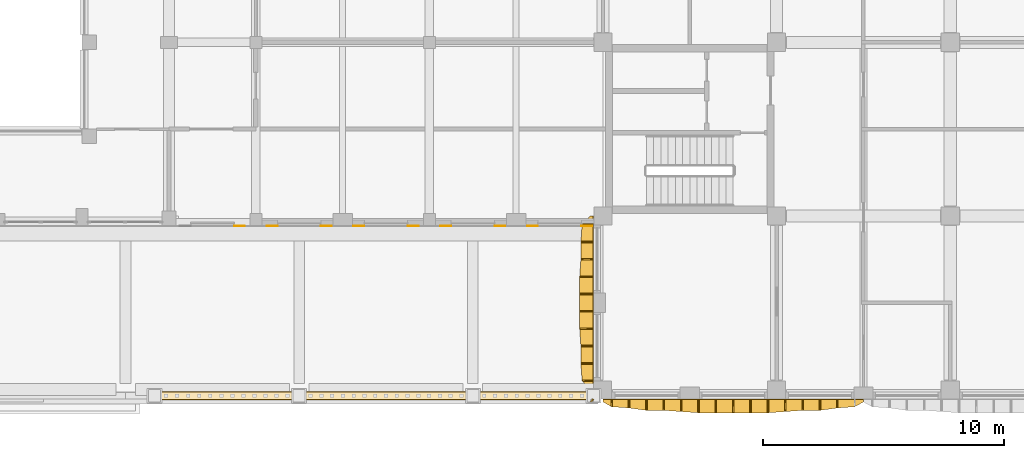
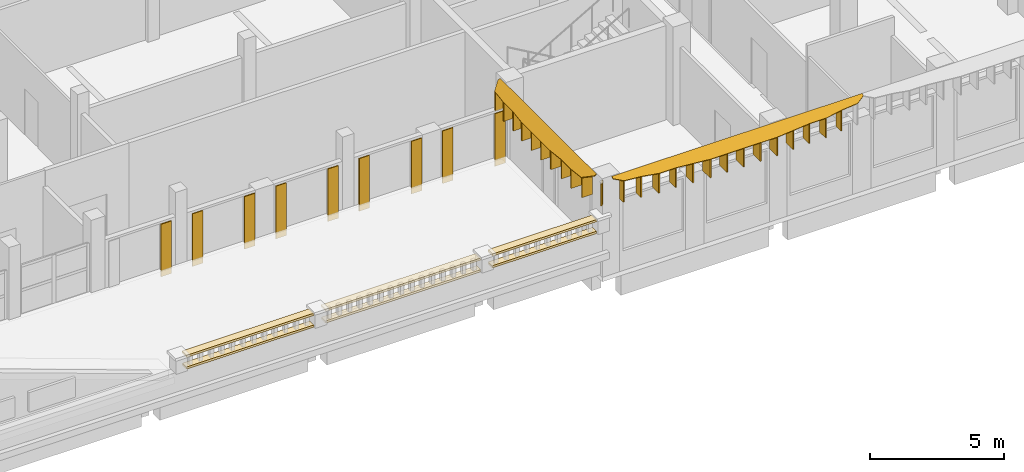
# One storey, part 37 of 58: 36 shading devices, 6 coverings.
"""IFC4 building model written with IfcOpenShell, lengths in metres."""

import ifcopenshell
import ifcopenshell.guid

model = None  # the IFC model being written
_history = None  # IfcOwnerHistory: only IFC2X3 demands one
_inside = {}  # id of a spatial element -> (the spatial element, [elements in it])
_under = {}  # id of a project, library or spatial element -> (it, [spatial elements below it])
_declared = {}  # id of a project -> (the project, [libraries it declares])
_typed = {}  # id of a type object -> (the type object, [elements of that type])
_made_of = {}  # id of a material, layer set ... -> (it, [elements and type objects made of it])


def new_model(schema):
    """Start an empty IFC model of exactly this schema.

    Asked for "IFC4X3", IfcOpenShell would pick the latest addendum, in which some entities
    have other attributes; the version numbers below select the first issue.
    IFC2X3 requires an IfcOwnerHistory on every rooted entity: one is made here for all.
    """
    global model, _history
    if schema == "IFC4X3":
        model = ifcopenshell.file(schema_version=(4, 3, 0, 0))
    else:
        model = ifcopenshell.file(schema=schema)
    _inside.clear()
    _under.clear()
    _declared.clear()
    _typed.clear()
    _made_of.clear()
    _history = None
    if model.schema == "IFC2X3":
        org = make("IfcOrganization", Name="unknown")
        user = make(
            "IfcPersonAndOrganization",
            ThePerson=make("IfcPerson", FamilyName="unknown"),
            TheOrganization=org,
        )
        app = make(
            "IfcApplication",
            ApplicationDeveloper=org,
            Version="unknown",
            ApplicationFullName="unknown",
            ApplicationIdentifier="unknown",
        )
        _history = make(
            "IfcOwnerHistory",
            OwningUser=user,
            OwningApplication=app,
            ChangeAction="ADDED",
            CreationDate=0,
        )
    return model


def make(cls, **values):
    """One entity of the class cls with the attributes given. An attribute that is None is left unset."""
    return model.create_entity(
        cls, **{name: value for name, value in values.items() if value is not None}
    )


def rooted(cls, **values):
    """An entity with a GlobalId (a new one), such as an element, a storey or a relation."""
    return make(cls, GlobalId=ifcopenshell.guid.new(), OwnerHistory=_history, **values)


def si_unit(unit_type, name, prefix=None):
    """IfcSIUnit, for example si_unit("LENGTHUNIT", "METRE", prefix="MILLI")."""
    return make("IfcSIUnit", UnitType=unit_type, Prefix=prefix, Name=name)


def assignment(units):
    """IfcUnitAssignment: the units of a project."""
    return None if units is None else make("IfcUnitAssignment", Units=units)


def point(xyz):
    """IfcCartesianPoint."""
    return None if xyz is None else make("IfcCartesianPoint", Coordinates=xyz)


def direction(xyz):
    """IfcDirection."""
    return None if xyz is None else make("IfcDirection", DirectionRatios=xyz)


def frame(location, z_axis=None, x_axis=None):
    """IfcAxis2Placement3D, a coordinate frame: its origin and axes. An axis left out is left unset."""
    return make(
        "IfcAxis2Placement3D",
        Location=point(location),
        Axis=direction(z_axis),
        RefDirection=direction(x_axis),
    )


def frame_2d(location, x_axis=None):
    """IfcAxis2Placement2D, a coordinate frame in the plane: its origin and x axis."""
    return make(
        "IfcAxis2Placement2D", Location=point(location), RefDirection=direction(x_axis)
    )


def origin():
    """The frame at (0, 0, 0) with its axes left unset."""
    return frame((0.0, 0.0, 0.0))


def origin_2d():
    """The frame at (0, 0) in the plane with its x axis left unset."""
    return frame_2d((0.0, 0.0))


def place(relative_to, where):
    """IfcLocalPlacement: puts the frame where relative to a parent placement (None: the world)."""
    return make(
        "IfcLocalPlacement", PlacementRelTo=relative_to, RelativePlacement=where
    )


def context(
    kind, dimensions, precision=None, world=None, true_north=None, identifier=None
):
    """IfcGeometricRepresentationContext, for example the 3D "Model" context."""
    return make(
        "IfcGeometricRepresentationContext",
        ContextIdentifier=identifier,
        ContextType=kind,
        CoordinateSpaceDimension=dimensions,
        Precision=precision,
        WorldCoordinateSystem=world,
        TrueNorth=true_north,
    )


def subcontext(parent, identifier, kind, view, scale=None):
    """IfcGeometricRepresentationSubContext, for example "Body" below "Model"."""
    return make(
        "IfcGeometricRepresentationSubContext",
        ContextIdentifier=identifier,
        ContextType=kind,
        ParentContext=parent,
        TargetScale=scale,
        TargetView=view,
    )


def project(units=None, contexts=None):
    """IfcProject with its units and contexts."""
    return rooted(
        "IfcProject",
        Name="project",
        RepresentationContexts=contexts,
        UnitsInContext=assignment(units),
    )


def spatial(cls, under=None, at=None, **own):
    """A site, building, storey or space (cls), placed at a placement, below another one or the project."""
    s = rooted(cls, ObjectPlacement=at, **own)
    if under is not None:
        _under.setdefault(under.id(), (under, []))[1].append(s)
    return s


def polyline(points):
    """IfcPolyline through the points."""
    return make("IfcPolyline", Points=[point(p) for p in points])


def profile(cls, at=None, kind="AREA", **sizes):
    """A parametric profile (cls). Its sizes go by their IFC names, for example OverallWidth=200.0."""
    return make(cls, ProfileType=kind, Position=at, **sizes)


def rectangle(**sizes):
    """IfcRectangleProfileDef."""
    return profile("IfcRectangleProfileDef", **sizes)


def outline(outer, holes=None, kind="AREA"):
    """IfcArbitraryClosedProfileDef: a profile drawn as a closed curve; with holes, ...WithVoids."""
    if holes is None:
        return make("IfcArbitraryClosedProfileDef", ProfileType=kind, OuterCurve=outer)
    return make(
        "IfcArbitraryProfileDefWithVoids",
        ProfileType=kind,
        OuterCurve=outer,
        InnerCurves=holes,
    )


def extrude(swept, where, along, depth):
    """IfcExtrudedAreaSolid: the profile swept, set in the frame where, extruded along a direction by depth."""
    return make(
        "IfcExtrudedAreaSolid",
        SweptArea=swept,
        Position=where,
        ExtrudedDirection=direction(along),
        Depth=depth,
    )


def shape(context_of_items, identifier, shape_type, items):
    """IfcShapeRepresentation: the items that make up one representation, for example the "Body"."""
    return make(
        "IfcShapeRepresentation",
        ContextOfItems=context_of_items,
        RepresentationIdentifier=identifier,
        RepresentationType=shape_type,
        Items=items,
    )


def material(Name=None, Category=None):
    """IfcMaterial."""
    return make("IfcMaterial", Name=Name, Category=Category)


def layer(
    of_material, thickness, ventilated=None, Name=None, Category=None, Priority=None
):
    """IfcMaterialLayer: one layer of a wall or slab, of a material (None: an air gap)."""
    return make(
        "IfcMaterialLayer",
        Material=of_material,
        LayerThickness=thickness,
        IsVentilated=ventilated,
        Name=Name,
        Category=Category,
        Priority=Priority,
    )


def layer_set(layers, Name=None):
    """IfcMaterialLayerSet."""
    return make("IfcMaterialLayerSet", MaterialLayers=layers, LayerSetName=Name)


def made_of(thing, what):
    """Note that an element or type object is made of a material, layer set ...; save() writes the relation."""
    if what is not None:
        _made_of.setdefault(what.id(), (what, []))[1].append(thing)
    return thing


def type_object(cls, material=None, **own):
    """A type object (cls), such as IfcWallType, which elements share."""
    return made_of(rooted(cls, **own), material)


def element(
    cls,
    number,
    at=None,
    inside=None,
    cuts=None,
    type_object=None,
    material=None,
    context=None,
    identifier="Body",
    shape_type=None,
    held_by="IfcProductDefinitionShape",
    body=None,
    shapes=None,
    **own,
):
    """One element of the class cls, such as IfcWall. Its Tag is "e" and its number.

    at: its placement. inside: the storey or other place that contains it. cuts: it is an
    opening in that element (IfcRelVoidsElement). A single representation is given by context,
    identifier, shape_type and body (its items); several are given by shapes. held_by: the class
    of the entity that holds the representations. save() writes the other relations.
    """
    e = rooted(cls, Tag="e%d" % number, ObjectPlacement=at, **own)
    if body is not None:
        shapes = [shape(context, identifier, shape_type, body)]
    if shapes is not None:
        e.Representation = make(held_by, Representations=shapes)
    if inside is not None:
        _inside.setdefault(inside.id(), (inside, []))[1].append(e)
    if cuts is not None:
        rooted(
            "IfcRelVoidsElement", RelatingBuildingElement=cuts, RelatedOpeningElement=e
        )
    if type_object is not None:
        _typed.setdefault(type_object.id(), (type_object, []))[1].append(e)
    return made_of(e, material)


def aggregate(whole, parts):
    """IfcRelAggregates: a whole, such as a stair, and the parts it consists of."""
    return rooted("IfcRelAggregates", RelatingObject=whole, RelatedObjects=parts)


def save(model, path):
    """Write the relations noted so far, then the file.

    IfcRelAggregates (storeys below a building ...), IfcRelContainedInSpatialStructure (elements
    in a storey), IfcRelDefinesByType, IfcRelAssociatesMaterial and IfcRelDeclares: one each for
    every whole, place, type object, material and project.
    """
    for whole, parts in _under.values():
        aggregate(whole, parts)
    for where, things in _inside.values():
        rooted(
            "IfcRelContainedInSpatialStructure",
            RelatedElements=things,
            RelatingStructure=where,
        )
    for kind, things in _typed.values():
        rooted("IfcRelDefinesByType", RelatedObjects=things, RelatingType=kind)
    for what, things in _made_of.values():
        rooted("IfcRelAssociatesMaterial", RelatedObjects=things, RelatingMaterial=what)
    for by, libraries in _declared.values():
        rooted("IfcRelDeclares", RelatingContext=by, RelatedDefinitions=libraries)
    model.write(path)


model = new_model("IFC4")

# Units and contexts
model_context = context("Model", 3, precision=1e-05, world=origin(), true_north=direction((0.0, 1.0)))
body_context = subcontext(model_context, "Body", "Model", "MODEL_VIEW")
ifc_project = project(units=[si_unit("LENGTHUNIT", "METRE"), si_unit("AREAUNIT", "SQUARE_METRE"), si_unit("VOLUMEUNIT", "CUBIC_METRE"), si_unit("PLANEANGLEUNIT", "RADIAN"), si_unit("MASSUNIT", "GRAM", prefix="KILO")], contexts=[model_context])

# Site, building, storey
site_placement = place(None, origin())
site = spatial("IfcSite", under=ifc_project, at=site_placement, CompositionType="ELEMENT")
building_placement = place(site_placement, origin())
building = spatial("IfcBuilding", under=site, at=building_placement, Name="Ussher Court Research Institute", CompositionType="ELEMENT")
storey_placement = place(building_placement, frame((0.0, 0.0, 9.89990234375)))
storey = spatial("IfcBuildingStorey", under=building, at=storey_placement, Name="L02", CompositionType="ELEMENT", Elevation=9.89990234375)

# Coverings
ifc_material_1 = material(Name="Limestone cornice", Category="masonry")
covering_type_1 = type_object("IfcCoveringType", Name="Balustrade base rail 300x100", PredefinedType="CLADDING", material=ifc_material_1)
covering_1_placement = place(storey_placement, frame((66.60009765625, 3.739990234375, 2.10009765625), z_axis=(0.0, 0.0, 1.0), x_axis=(1.0, 0.0, 0.0)))
element("IfcCovering", 1, at=covering_1_placement, inside=storey, type_object=covering_type_1, Name="Balustrade base rail CC29", PredefinedType="CLADDING", context=body_context, shape_type="SweptSolid", body=[
    extrude(rectangle(XDim=5.5, YDim=0.300048828125, at=origin_2d()), origin(), (0.0, 0.0, 1.0), 0.10009765625),
])
covering_2_placement = place(storey_placement, frame((73.199951171875, 3.739990234375, 2.10009765625), z_axis=(0.0, 0.0, 1.0), x_axis=(1.0, 0.0, 0.0)))
element("IfcCovering", 2, at=covering_2_placement, inside=storey, type_object=covering_type_1, Name="Balustrade base rail CC29", PredefinedType="CLADDING", context=body_context, shape_type="SweptSolid", body=[
    extrude(rectangle(XDim=6.699951171875, YDim=0.300048828125, at=origin_2d()), origin(), (0.0, 0.0, 1.0), 0.10009765625),
])
covering_3_placement = place(storey_placement, frame((79.300048828125, 3.739990234375, 2.10009765625), z_axis=(0.0, 0.0, 1.0), x_axis=(1.0, 0.0, 0.0)))
element("IfcCovering", 3, at=covering_3_placement, inside=storey, type_object=covering_type_1, Name="Balustrade base rail CC29", PredefinedType="CLADDING", context=body_context, shape_type="SweptSolid", body=[
    extrude(rectangle(XDim=4.5, YDim=0.300048828125, at=origin_2d()), origin(), (0.0, 0.0, 1.0), 0.10009765625),
])
ifc_material_2 = material(Name="Limestone cornice", Category="masonry")
covering_type_2 = type_object("IfcCoveringType", Name="Balustrade coping 340x100", PredefinedType="CLADDING", material=ifc_material_2)
covering_4_placement = place(storey_placement, frame((66.60009765625, 3.739990234375, 2.650146484375), z_axis=(0.0, 0.0, 1.0), x_axis=(1.0, 0.0, 0.0)))
element("IfcCovering", 4, at=covering_4_placement, inside=storey, type_object=covering_type_2, Name="Balustrade coping CC30", PredefinedType="CLADDING", context=body_context, shape_type="SweptSolid", body=[
    extrude(rectangle(XDim=5.5, YDim=0.340087890625, at=origin_2d()), origin(), (0.0, 0.0, 1.0), 0.10009765625),
])
covering_5_placement = place(storey_placement, frame((73.199951171875, 3.739990234375, 2.650146484375), z_axis=(0.0, 0.0, 1.0), x_axis=(1.0, 0.0, 0.0)))
element("IfcCovering", 5, at=covering_5_placement, inside=storey, type_object=covering_type_2, Name="Balustrade coping CC30", PredefinedType="CLADDING", context=body_context, shape_type="SweptSolid", body=[
    extrude(rectangle(XDim=6.699951171875, YDim=0.340087890625, at=origin_2d()), origin(), (0.0, 0.0, 1.0), 0.10009765625),
])
covering_6_placement = place(storey_placement, frame((79.300048828125, 3.739990234375, 2.650146484375), z_axis=(0.0, 0.0, 1.0), x_axis=(1.0, 0.0, 0.0)))
element("IfcCovering", 6, at=covering_6_placement, inside=storey, type_object=covering_type_2, Name="Balustrade coping CC30", PredefinedType="CLADDING", context=body_context, shape_type="SweptSolid", body=[
    extrude(rectangle(XDim=4.5, YDim=0.340087890625, at=origin_2d()), origin(), (0.0, 0.0, 1.0), 0.10009765625),
])

# Shading devices
ifc_material_3 = material(Name="Bronze anodised aluminium", Category="aluminium")
ifc_layer_1 = layer(ifc_material_3, 0.050048828125)
ifc_layer_set_1 = layer_set([ifc_layer_1], Name="Bronze anodised aluminium")
shading_device_type_1 = type_object("IfcShadingDeviceType", Name="Brim blade 300 mm deep 1100 mm high canted 26 deg wet", PredefinedType="USERDEFINED", material=ifc_layer_set_1)
shading_device_1_placement = place(storey_placement, frame((82.56005859375, 3.60009765625, 3.35009765625), z_axis=(0.0, 0.0, 1.0), x_axis=(0.0, -1.0, 0.0)))
element("IfcShadingDevice", 7, at=shading_device_1_placement, inside=storey, type_object=shading_device_type_1, Name="Brim blade BS06 L02", ObjectType="BLADE", PredefinedType="USERDEFINED", context=body_context, shape_type="SweptSolid", body=[
    extrude(outline(polyline([(0.0, 0.0), (0.300048828125, 0.0), (0.300048828125, 0.95361328125), (0.0, 1.10009765625), (0.0, 0.0)])), frame((0.0, 0.02490234375, 0.0), z_axis=(0.0, -1.0, 0.0), x_axis=(1.0, 0.0, 0.0)), (0.0, 0.0, 1.0), 0.050048828125),
])
ifc_material_4 = material(Name="Bronze anodised aluminium", Category="aluminium")
ifc_layer_2 = layer(ifc_material_4, 0.050048828125)
ifc_layer_set_2 = layer_set([ifc_layer_2], Name="Bronze anodised aluminium")
shading_device_type_2 = type_object("IfcShadingDeviceType", Name="Brim blade 350 mm deep 1100 mm high canted 26 deg wet", PredefinedType="USERDEFINED", material=ifc_layer_set_2)
for number, where, z_axis, x_axis, name in (
    (8, (91.919921875, 3.60009765625, 3.35009765625), (0.0, 0.0, 1.0), (0.0, -1.0, 0.0), "Brim blade BS05 L02"),
    (9, (83.280029296875, 3.60009765625, 3.35009765625), (0.0, 0.0, 1.0), (0.0, -1.0, 0.0), "Brim blade BS05 L02"),
):
    element("IfcShadingDevice", number, at=place(storey_placement, frame(where, z_axis=z_axis, x_axis=x_axis)), inside=storey, type_object=shading_device_type_2, Name=name, ObjectType="BLADE", PredefinedType="USERDEFINED", context=body_context, shape_type="SweptSolid", body=[
        extrude(outline(polyline([(0.0, 0.0), (0.35009765625, 0.0), (0.35009765625, 0.92919921875), (0.0, 1.10009765625), (0.0, 0.0)])), frame((0.0, 0.02490234375, 0.0), z_axis=(0.0, -1.0, 0.0), x_axis=(1.0, 0.0, 0.0)), (0.0, 0.0, 1.0), 0.050048828125),
    ])
ifc_material_5 = material(Name="Bronze anodised aluminium", Category="aluminium")
ifc_layer_3 = layer(ifc_material_5, 0.050048828125)
ifc_layer_set_3 = layer_set([ifc_layer_3], Name="Bronze anodised aluminium")
shading_device_type_3 = type_object("IfcShadingDeviceType", Name="Brim blade 450 mm deep 1100 mm high canted 26 deg wet", PredefinedType="USERDEFINED", material=ifc_layer_set_3)
for number, where, z_axis, x_axis, name in (
    (10, (91.199951171875, 3.60009765625, 3.35009765625), (0.0, 0.0, 1.0), (0.0, -1.0, 0.0), "Brim blade BS03 L02"),
    (11, (90.47998046875, 3.60009765625, 3.35009765625), (0.0, 0.0, 1.0), (0.0, -1.0, 0.0), "Brim blade BS03 L02"),
    (12, (84.719970703125, 3.60009765625, 3.35009765625), (0.0, 0.0, 1.0), (0.0, -1.0, 0.0), "Brim blade BS03 L02"),
    (13, (84.0, 3.60009765625, 3.35009765625), (0.0, 0.0, 1.0), (0.0, -1.0, 0.0), "Brim blade BS03 L02"),
):
    element("IfcShadingDevice", number, at=place(storey_placement, frame(where, z_axis=z_axis, x_axis=x_axis)), inside=storey, type_object=shading_device_type_3, Name=name, ObjectType="BLADE", PredefinedType="USERDEFINED", context=body_context, shape_type="SweptSolid", body=[
        extrude(outline(polyline([(0.0, 0.0), (0.4501953125, 0.0), (0.449951171875, 0.880615234375), (0.0, 1.10009765625), (0.0, 0.0)])), frame((0.0, 0.02490234375, 0.0), z_axis=(0.0, -1.0, 0.0), x_axis=(1.0, 0.0, 0.0)), (0.0, 0.0, 1.0), 0.050048828125),
    ])
for number, where, z_axis, x_axis, name in (
    (14, (81.800048828125, 4.360107421875, 3.35009765625), (0.0, 0.0, 1.0), (-1.0, 0.0, 0.0), "Brim blade BS03 L02"),
    (15, (81.800048828125, 10.840087890625, 3.35009765625), (0.0, 0.0, 1.0), (-1.0, 0.0, 0.0), "Brim blade BS03 L02"),
):
    element("IfcShadingDevice", number, at=place(storey_placement, frame(where, z_axis=z_axis, x_axis=x_axis)), inside=storey, type_object=shading_device_type_3, Name=name, ObjectType="BLADE", PredefinedType="USERDEFINED", context=body_context, shape_type="SweptSolid", body=[
        extrude(outline(polyline([(0.0, 0.0), (0.449951171875, 0.0), (0.449951171875, 0.880615234375), (0.0, 1.10009765625), (0.0, 0.0)])), frame((0.0, 0.02490234375, 0.0), z_axis=(0.0, -1.0, 0.0), x_axis=(1.0, 0.0, 0.0)), (0.0, 0.0, 1.0), 0.050048828125),
    ])
ifc_material_6 = material(Name="Bronze anodised aluminium", Category="aluminium")
ifc_layer_4 = layer(ifc_material_6, 0.050048828125)
ifc_layer_set_4 = layer_set([ifc_layer_4], Name="Bronze anodised aluminium")
shading_device_type_4 = type_object("IfcShadingDeviceType", Name="Brim blade 500 mm deep 1100 mm high canted 26 deg wet", PredefinedType="USERDEFINED", material=ifc_layer_set_4)
for number, where, z_axis, x_axis, name in (
    (16, (89.760009765625, 3.60009765625, 3.35009765625), (0.0, 0.0, 1.0), (0.0, -1.0, 0.0), "Brim blade BS02 L02"),
    (17, (85.43994140625, 3.60009765625, 3.35009765625), (0.0, 0.0, 1.0), (0.0, -1.0, 0.0), "Brim blade BS02 L02"),
    (18, (81.800048828125, 5.080078125, 3.35009765625), (0.0, 0.0, 1.0), (-1.0, 0.0, 0.0), "Brim blade BS02 L02"),
    (19, (81.800048828125, 5.800048828125, 3.35009765625), (0.0, 0.0, 1.0), (-1.0, 0.0, 0.0), "Brim blade BS02 L02"),
    (20, (81.800048828125, 9.39990234375, 3.35009765625), (0.0, 0.0, 1.0), (-1.0, 0.0, 0.0), "Brim blade BS02 L02"),
    (21, (81.800048828125, 10.1201171875, 3.35009765625), (0.0, 0.0, 1.0), (-1.0, 0.0, 0.0), "Brim blade BS02 L02"),
):
    element("IfcShadingDevice", number, at=place(storey_placement, frame(where, z_axis=z_axis, x_axis=x_axis)), inside=storey, type_object=shading_device_type_4, Name=name, ObjectType="BLADE", PredefinedType="USERDEFINED", context=body_context, shape_type="SweptSolid", body=[
        extrude(outline(polyline([(0.0, 0.0), (0.5, 0.0), (0.5, 0.856201171875), (0.0, 1.10009765625), (0.0, 0.0)])), frame((0.0, 0.02490234375, 0.0), z_axis=(0.0, -1.0, 0.0), x_axis=(1.0, 0.0, 0.0)), (0.0, 0.0, 1.0), 0.050048828125),
    ])
ifc_material_7 = material(Name="Bronze anodised aluminium", Category="aluminium")
ifc_layer_5 = layer(ifc_material_7, 0.050048828125)
ifc_layer_set_5 = layer_set([ifc_layer_5], Name="Bronze anodised aluminium")
shading_device_type_5 = type_object("IfcShadingDeviceType", Name="Brim blade 550 mm deep 1100 mm high canted 26 deg wet", PredefinedType="USERDEFINED", material=ifc_layer_set_5)
for number, where, z_axis, x_axis, name in (
    (22, (89.0400390625, 3.60009765625, 3.35009765625), (0.0, 0.0, 1.0), (0.0, -1.0, 0.0), "Brim blade BS01 L02"),
    (23, (88.320068359375, 3.60009765625, 3.35009765625), (0.0, 0.0, 1.0), (0.0, -1.0, 0.0), "Brim blade BS01 L02"),
    (24, (87.60009765625, 3.60009765625, 3.35009765625), (0.0, 0.0, 1.0), (0.0, -1.0, 0.0), "Brim blade BS01 L02"),
    (25, (86.8798828125, 3.60009765625, 3.35009765625), (0.0, 0.0, 1.0), (0.0, -1.0, 0.0), "Brim blade BS01 L02"),
    (26, (86.159912109375, 3.60009765625, 3.35009765625), (0.0, 0.0, 1.0), (0.0, -1.0, 0.0), "Brim blade BS01 L02"),
    (27, (81.800048828125, 6.52001953125, 3.35009765625), (0.0, 0.0, 1.0), (-1.0, 0.0, 0.0), "Brim blade BS01 L02"),
    (28, (81.800048828125, 7.239990234375, 3.35009765625), (0.0, 0.0, 1.0), (-1.0, 0.0, 0.0), "Brim blade BS01 L02"),
    (29, (81.800048828125, 7.9599609375, 3.35009765625), (0.0, 0.0, 1.0), (-1.0, 0.0, 0.0), "Brim blade BS01 L02"),
    (30, (81.800048828125, 8.679931640625, 3.35009765625), (0.0, 0.0, 1.0), (-1.0, 0.0, 0.0), "Brim blade BS01 L02"),
):
    element("IfcShadingDevice", number, at=place(storey_placement, frame(where, z_axis=z_axis, x_axis=x_axis)), inside=storey, type_object=shading_device_type_5, Name=name, ObjectType="BLADE", PredefinedType="USERDEFINED", context=body_context, shape_type="SweptSolid", body=[
        extrude(outline(polyline([(0.0, 0.0), (0.550048828125, 0.0), (0.550048828125, 0.831787109375), (0.0, 1.10009765625), (0.0, 0.0)])), frame((0.0, 0.02490234375, 0.0), z_axis=(0.0, -1.0, 0.0), x_axis=(1.0, 0.0, 0.0)), (0.0, 0.0, 1.0), 0.050048828125),
    ])
ifc_material_8 = material(Name="Bronze anodised aluminium", Category="aluminium")
ifc_layer_6 = layer(ifc_material_8, 0.050048828125)
ifc_layer_set_6 = layer_set([ifc_layer_6], Name="Bronze anodised aluminium")
shading_device_type_6 = type_object("IfcShadingDeviceType", Name="Brim mitre blade 100 mm deep 1100 mm high canted 26 deg wet", PredefinedType="USERDEFINED", material=ifc_layer_set_6)
shading_device_2_placement = place(storey_placement, frame((81.800048828125, 3.60009765625, 3.35009765625), z_axis=(0.0, 0.0, 1.0), x_axis=(-0.707106781187, -0.707106781187, 0.0)))
element("IfcShadingDevice", 31, at=shading_device_2_placement, inside=storey, type_object=shading_device_type_6, Name="Brim mitre blade BS18 L02", ObjectType="BLADE", PredefinedType="USERDEFINED", context=body_context, shape_type="SweptSolid", body=[
    extrude(outline(polyline([(0.0, 0.0), (0.1416015625, 0.0), (0.141357421875, 1.00244140625), (0.0, 1.10009765625), (0.0, 0.0)])), frame((0.0, 0.02490234375, 0.0), z_axis=(0.0, -1.0, 0.0), x_axis=(1.0, 0.0, 0.0)), (0.0, 0.0, 1.0), 0.050048828125),
])
ifc_material_9 = material(Name="Bronze anodised aluminium", Category="aluminium")
ifc_layer_7 = layer(ifc_material_9, 0.0400390625)
ifc_layer_set_7 = layer_set([ifc_layer_7], Name="Bronze anodised aluminium")
shading_device_type_7 = type_object("IfcShadingDeviceType", Name="Brim visor sheet 40 mm canted 26 deg wet", PredefinedType="USERDEFINED", material=ifc_layer_set_7)
shading_device_3_placement = place(storey_placement, frame((93.0, 3.58251953125, 4.486083984375), z_axis=(0.0, -0.438461416816, 0.898750013054), x_axis=(-1.0, 0.0, 0.0)))
element("IfcShadingDevice", 32, at=shading_device_3_placement, inside=storey, type_object=shading_device_type_7, Name="Brim visor sheet BR1 L02", ObjectType="BRIM", PredefinedType="USERDEFINED", context=body_context, shape_type="SweptSolid", body=[
    extrude(outline(polyline([(0.0, 0.0), (10.800048828125, 0.0), (10.800048828125, 0.1113720187292832), (10.43994140625, 0.33389663479794396), (9.719970703125, 0.38958264416258553), (9.0, 0.5006281952576233), (8.280029296875, 0.5006281952576233), (7.56005859375, 0.5563142046222649), (6.840087890625, 0.6120002139869065), (6.1201171875, 0.6120002139869065), (5.39990234375, 0.6120002139869065), (4.679931640625, 0.6120002139869065), (3.9599609375, 0.6120002139869065), (3.239990234375, 0.5563142046222649), (2.52001953125, 0.5006281952576233), (1.800048828125, 0.5006281952576233), (1.080078125, 0.38958264416258553), (0.360107421875, 0.33389663479794396), (0.0, 0.1113720187292832), (0.0, 0.0)])), origin(), (0.0, 0.0, -1.0), 0.0400390625),
])
shading_device_4_placement = place(storey_placement, frame((81.782470703125, 4.0, 4.486083984375), z_axis=(-0.438424070602, 0.0, 0.898768231702), x_axis=(0.0, 1.0, 0.0)))
element("IfcShadingDevice", 33, at=shading_device_4_placement, inside=storey, type_object=shading_device_type_7, Name="Brim visor sheet BR1 L02", ObjectType="BRIM", PredefinedType="USERDEFINED", context=body_context, shape_type="SweptSolid", body=[
    extrude(outline(polyline([(0.0, 0.0), (7.199951171875, 0.0), (7.199951171875, 0.11115259298987437), (6.840087890625, 0.5006281959223675), (6.1201171875, 0.5563142053362137), (5.39990234375, 0.5563142053362137), (4.679931640625, 0.6120002147500598), (3.9599609375, 0.6120002147500598), (3.239990234375, 0.6120002147500598), (2.52001953125, 0.6120002147500598), (1.800048828125, 0.5563142053362137), (1.080078125, 0.5563142053362137), (0.360107421875, 0.5006281959223675), (0.0, 0.11115259298987437), (0.0, 0.0)])), origin(), (0.0, 0.0, -1.0), 0.0400390625),
])
ifc_material_10 = material(Name="Timber louvred shutter", Category="wood")
ifc_layer_8 = layer(ifc_material_10, 0.0400390625)
ifc_layer_set_8 = layer_set([ifc_layer_8], Name="Timber louvred shutter")
shading_device_type_8 = type_object("IfcShadingDeviceType", Name="Louvred shutter leaf 450x2400", PredefinedType="USERDEFINED", material=ifc_layer_set_8)
for number, where, z_axis, x_axis, name in (
    (34, (81.52490234375, 10.780029296875, 0.900146484375), (0.0, 0.0, 1.0), (-1.0, 0.0, 0.0), "Shutter LV2 L02"),
    (35, (79.27490234375, 10.780029296875, 0.900146484375), (0.0, 0.0, 1.0), (-1.0, 0.0, 0.0), "Shutter LV2 L02"),
    (36, (77.925048828125, 10.780029296875, 0.900146484375), (0.0, 0.0, 1.0), (-1.0, 0.0, 0.0), "Shutter LV2 L02"),
    (37, (75.675048828125, 10.780029296875, 0.900146484375), (0.0, 0.0, 1.0), (-1.0, 0.0, 0.0), "Shutter LV2 L02"),
    (38, (74.324951171875, 10.780029296875, 0.900146484375), (0.0, 0.0, 1.0), (-1.0, 0.0, 0.0), "Shutter LV2 L02"),
    (39, (72.074951171875, 10.780029296875, 0.900146484375), (0.0, 0.0, 1.0), (-1.0, 0.0, 0.0), "Shutter LV2 L02"),
    (40, (70.72509765625, 10.780029296875, 0.900146484375), (0.0, 0.0, 1.0), (-1.0, 0.0, 0.0), "Shutter LV2 L02"),
    (41, (68.47509765625, 10.780029296875, 0.900146484375), (0.0, 0.0, 1.0), (-1.0, 0.0, 0.0), "Shutter LV2 L02"),
    (42, (67.125, 10.780029296875, 0.900146484375), (0.0, 0.0, 1.0), (-1.0, 0.0, 0.0), "Shutter LV2 L02"),
):
    element("IfcShadingDevice", number, at=place(storey_placement, frame(where, z_axis=z_axis, x_axis=x_axis)), inside=storey, type_object=shading_device_type_8, Name=name, ObjectType="SHUTTER", PredefinedType="USERDEFINED", context=body_context, shape_type="SweptSolid", body=[
        extrude(rectangle(XDim=0.449951171875, YDim=0.0400390625, at=origin_2d()), origin(), (0.0, 0.0, 1.0), 2.39990234375),
    ])

save(model, "model.ifc")
